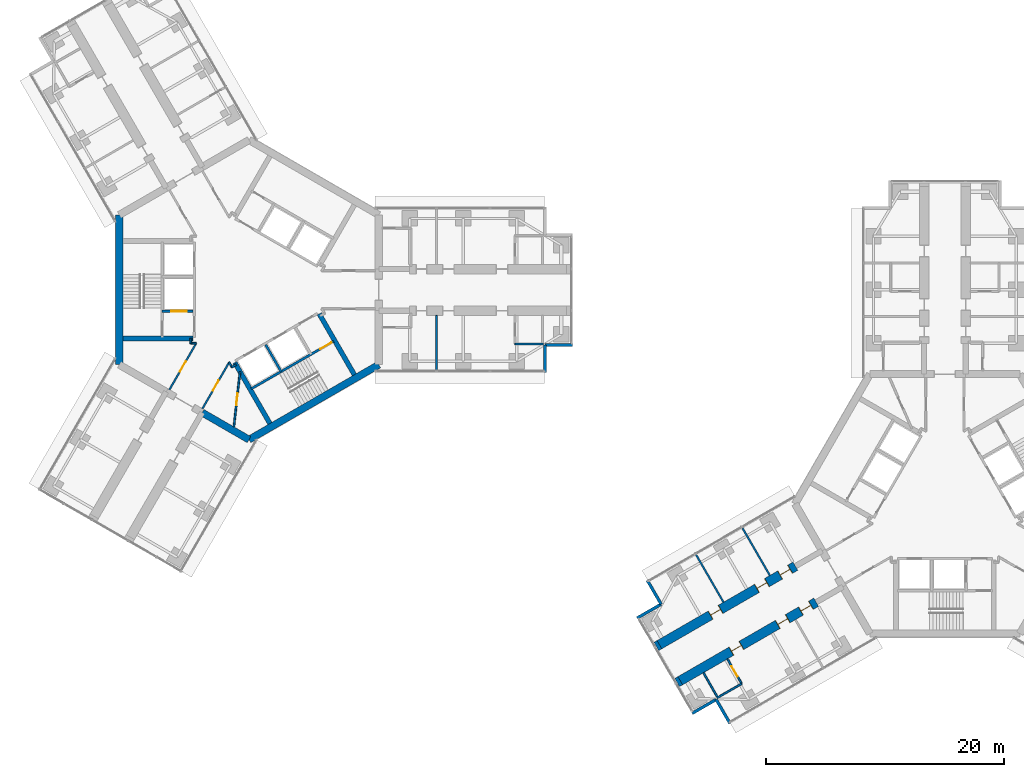
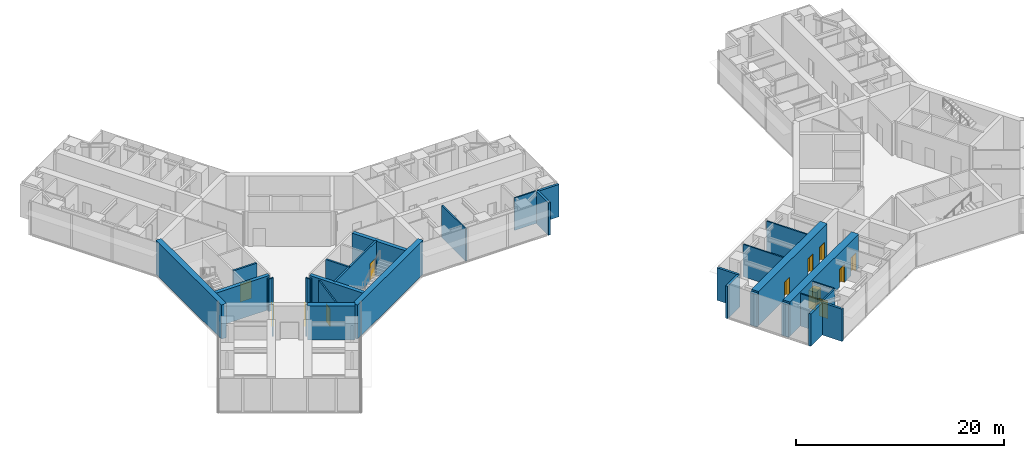
# One storey, part 15 of 22: 33 walls, 12 doors, 12 openings.
"""IFC4 building model written with IfcOpenShell, lengths in metres."""

from ifc_helpers import new_model, si_unit, direction, frame, frame_2d, origin, place, context, subcontext, project, spatial, rectangle, extrude, material, layer, layer_set, type_object, element, fill, save


model = new_model("IFC4")

# Units and contexts
model_context = context("Model", 3, precision=1e-05, world=origin(), true_north=direction((0.0, 1.0)))
body_context = subcontext(model_context, "Body", "Model", "MODEL_VIEW")
ifc_project = project(units=[si_unit("LENGTHUNIT", "METRE"), si_unit("AREAUNIT", "SQUARE_METRE"), si_unit("VOLUMEUNIT", "CUBIC_METRE"), si_unit("PLANEANGLEUNIT", "RADIAN"), si_unit("MASSUNIT", "GRAM", prefix="KILO")], contexts=[model_context])

# Site, building, storey
site_placement = place(None, origin())
site = spatial("IfcSite", under=ifc_project, at=site_placement, CompositionType="ELEMENT")
building_placement = place(site_placement, origin())
building = spatial("IfcBuilding", under=site, at=building_placement, Name="Upepo Twin Towers", CompositionType="ELEMENT")
storey_placement = place(building_placement, frame((0.0, 0.0, 129.5)))
storey = spatial("IfcBuildingStorey", under=building, at=storey_placement, Name="L31", CompositionType="ELEMENT", Elevation=129.5)

# Walls
ifc_material_1 = material(Name="Dense concrete blockwork", Category="masonry")
ifc_layer_1 = layer(ifc_material_1, 0.800048828125)
ifc_layer_set_1 = layer_set([ifc_layer_1], Name="Buttress closer 800, blockwork with fire-stopping to the curtain wall")
wall_type_1 = type_object("IfcWallType", Name="Buttress closer 800, blockwork with fire-stopping to the curtain wall", PredefinedType="PARTITIONING", material=ifc_layer_set_1)
wall_1_placement = place(storey_placement, frame((36.252197265625, -32.865478515625, 0.0), z_axis=(0.0, 0.0, 1.0), x_axis=(-0.865778900179, -0.500426713919, 0.0)))
element("IfcWall", 1, at=wall_1_placement, inside=storey, type_object=wall_type_1, Name="T2 L31 wing B buttress closer L", PredefinedType="PARTITIONING", context=body_context, shape_type="SweptSolid", body=[
    extrude(rectangle(XDim=0.300048828125, YDim=0.800048828125, at=frame_2d((0.14990234375, 0.0))), origin(), (0.0, 0.0, 1.0), 3.800048828125),
])
wall_2_placement = place(storey_placement, frame((34.502197265625, -29.83447265625, 0.0), z_axis=(0.0, 0.0, 1.0), x_axis=(-0.866131372301, -0.499816412211, 0.0)))
element("IfcWall", 2, at=wall_2_placement, inside=storey, type_object=wall_type_1, Name="T2 L31 wing B buttress closer R", PredefinedType="PARTITIONING", context=body_context, shape_type="SweptSolid", body=[
    extrude(rectangle(XDim=0.2998046875, YDim=0.800048828125, at=frame_2d((0.14990234375, 0.0))), origin(), (0.0, 0.0, 1.0), 3.800048828125),
])

# Wall, openings, doors
ifc_material_2 = material(Name="Concrete C60/75", Category="concrete")
ifc_layer_2 = layer(ifc_material_2, 0.800048828125)
ifc_layer_set_2 = layer_set([ifc_layer_2], Name="Concrete C60/75")
wall_type_2 = type_object("IfcWallType", Name="Buttress wall 800 RC", PredefinedType="SHEAR", material=ifc_layer_set_2)
wall_3_placement = place(storey_placement, frame((47.68359375, -26.265625, 0.0), z_axis=(0.0, 0.0, 1.0), x_axis=(-0.866027579429, -0.499996231654, 0.0)))
wall_3 = element("IfcWall", 3, at=wall_3_placement, inside=storey, type_object=wall_type_2, Name="T2 wing B buttress wall L part 2", PredefinedType="SHEAR", context=body_context, shape_type="SweptSolid", body=[
    extrude(rectangle(XDim=13.19970703125, YDim=0.800048828125, at=frame_2d((6.599853515625, 0.0))), origin(), (0.0, 0.0, 1.0), 4.0),
])
opening_1_placement = place(wall_3_placement, frame((0.5, 0.0, 0.0)))
opening_1 = element("IfcOpeningElement", 4, at=opening_1_placement, cuts=wall_3, Name="Opening D1", PredefinedType="OPENING", context=body_context, shape_type="SweptSolid", body=[
    extrude(rectangle(XDim=1.0, YDim=2.10009765625, at=frame_2d((0.5, 1.050048828125))), frame((0.0, 0.409912109375, 0.0), z_axis=(0.0, -1.0, 0.0), x_axis=(1.0, 0.0, 0.0)), (0.0, 0.0, 1.0), 0.820068359375),
])
opening_2_placement = place(wall_3_placement, frame((2.75, 0.0, 0.0)))
opening_2 = element("IfcOpeningElement", 5, at=opening_2_placement, cuts=wall_3, Name="Opening D1", PredefinedType="OPENING", context=body_context, shape_type="SweptSolid", body=[
    extrude(rectangle(XDim=1.0, YDim=2.10009765625, at=frame_2d((0.5, 1.050048828125))), frame((0.0, 0.409912109375, 0.0), z_axis=(0.0, -1.0, 0.0), x_axis=(1.0, 0.0, 0.0)), (0.0, 0.0, 1.0), 0.820068359375),
])
opening_3_placement = place(wall_3_placement, frame((7.25, 0.0, 0.0)))
opening_3 = element("IfcOpeningElement", 6, at=opening_3_placement, cuts=wall_3, Name="Opening D1", PredefinedType="OPENING", context=body_context, shape_type="SweptSolid", body=[
    extrude(rectangle(XDim=1.0, YDim=2.10009765625, at=frame_2d((0.5, 1.050048828125))), frame((0.0, 0.409912109375, 0.0), z_axis=(0.0, -1.0, 0.0), x_axis=(1.0, 0.0, 0.0)), (0.0, 0.0, 1.0), 0.820068359375),
])
ifc_material_3 = material(Name="Timber doorset", Category="wood")
door_type_1 = type_object("IfcDoorType", Name="Room door 1000 FD30", OperationType="SINGLE_SWING_LEFT", PredefinedType="DOOR", material=ifc_material_3)
door_1_placement = place(opening_1_placement, origin())
door_1 = element("IfcDoor", 7, at=door_1_placement, inside=storey, type_object=door_type_1, Name="T2 L31 tutorial room door", OperationType="SINGLE_SWING_LEFT", OverallHeight=2.10009765625, OverallWidth=1.0, PredefinedType="DOOR", context=body_context, shape_type="SweptSolid", body=[
    extrude(rectangle(XDim=0.92, YDim=2.06009765625, at=frame_2d((0.5, 1.030029296875))), frame((0.0, 0.02490234375, 0.0), z_axis=(0.0, -1.0, 0.0), x_axis=(1.0, 0.0, 0.0)), (0.0, 0.0, 1.0), 0.050048828125),
    extrude(rectangle(XDim=0.04, YDim=2.10009765625, at=frame_2d((0.02001953125, 1.050048828125))), frame((0.0, 0.39990234375, 0.0), z_axis=(0.0, -1.0, 0.0), x_axis=(1.0, 0.0, 0.0)), (0.0, 0.0, 1.0), 0.799560546875),
    extrude(rectangle(XDim=0.04, YDim=2.10009765625, at=frame_2d((0.97998046875, 1.050048828125))), frame((0.0, 0.39990234375, 0.0), z_axis=(0.0, -1.0, 0.0), x_axis=(1.0, 0.0, 0.0)), (0.0, 0.0, 1.0), 0.799560546875),
    extrude(rectangle(XDim=0.92, YDim=0.04, at=frame_2d((0.5, 2.080078125))), frame((0.0, 0.39990234375, 0.0), z_axis=(0.0, -1.0, 0.0), x_axis=(1.0, 0.0, 0.0)), (0.0, 0.0, 1.0), 0.799560546875),
])
fill(opening_1, door_1)
door_2_placement = place(opening_2_placement, origin())
door_2 = element("IfcDoor", 8, at=door_2_placement, inside=storey, type_object=door_type_1, Name="T2 L31 law clinic door", OperationType="SINGLE_SWING_LEFT", OverallHeight=2.10009765625, OverallWidth=1.0, PredefinedType="DOOR", context=body_context, shape_type="SweptSolid", body=[
    extrude(rectangle(XDim=0.92, YDim=2.06009765625, at=frame_2d((0.5, 1.030029296875))), frame((0.0, 0.02490234375, 0.0), z_axis=(0.0, -1.0, 0.0), x_axis=(1.0, 0.0, 0.0)), (0.0, 0.0, 1.0), 0.050048828125),
    extrude(rectangle(XDim=0.04, YDim=2.10009765625, at=frame_2d((0.02001953125, 1.050048828125))), frame((0.0, 0.39990234375, 0.0), z_axis=(0.0, -1.0, 0.0), x_axis=(1.0, 0.0, 0.0)), (0.0, 0.0, 1.0), 0.799560546875),
    extrude(rectangle(XDim=0.04, YDim=2.10009765625, at=frame_2d((0.97998046875, 1.050048828125))), frame((0.0, 0.39990234375, 0.0), z_axis=(0.0, -1.0, 0.0), x_axis=(1.0, 0.0, 0.0)), (0.0, 0.0, 1.0), 0.799560546875),
    extrude(rectangle(XDim=0.92, YDim=0.04, at=frame_2d((0.5, 2.080078125))), frame((0.0, 0.39990234375, 0.0), z_axis=(0.0, -1.0, 0.0), x_axis=(1.0, 0.0, 0.0)), (0.0, 0.0, 1.0), 0.799560546875),
])
fill(opening_2, door_2)
door_3_placement = place(opening_3_placement, origin())
door_3 = element("IfcDoor", 9, at=door_3_placement, inside=storey, type_object=door_type_1, Name="T2 L31 law clinic door", OperationType="SINGLE_SWING_RIGHT", OverallHeight=2.10009765625, OverallWidth=1.0, PredefinedType="DOOR", context=body_context, shape_type="SweptSolid", body=[
    extrude(rectangle(XDim=0.92, YDim=2.06009765625, at=frame_2d((0.5, 1.030029296875))), frame((0.0, 0.02490234375, 0.0), z_axis=(0.0, -1.0, 0.0), x_axis=(1.0, 0.0, 0.0)), (0.0, 0.0, 1.0), 0.050048828125),
    extrude(rectangle(XDim=0.04, YDim=2.10009765625, at=frame_2d((0.02001953125, 1.050048828125))), frame((0.0, 0.39990234375, 0.0), z_axis=(0.0, -1.0, 0.0), x_axis=(1.0, 0.0, 0.0)), (0.0, 0.0, 1.0), 0.799560546875),
    extrude(rectangle(XDim=0.04, YDim=2.10009765625, at=frame_2d((0.97998046875, 1.050048828125))), frame((0.0, 0.39990234375, 0.0), z_axis=(0.0, -1.0, 0.0), x_axis=(1.0, 0.0, 0.0)), (0.0, 0.0, 1.0), 0.799560546875),
    extrude(rectangle(XDim=0.92, YDim=0.04, at=frame_2d((0.5, 2.080078125))), frame((0.0, 0.39990234375, 0.0), z_axis=(0.0, -1.0, 0.0), x_axis=(1.0, 0.0, 0.0)), (0.0, 0.0, 1.0), 0.799560546875),
])
fill(opening_3, door_3)

wall_4_placement = place(storey_placement, frame((45.93359375, -23.234375, 0.0), z_axis=(0.0, 0.0, 1.0), x_axis=(-0.866019570528, -0.500010103361, 0.0)))
wall_4 = element("IfcWall", 10, at=wall_4_placement, inside=storey, type_object=wall_type_2, Name="T2 wing B buttress wall R part 2", PredefinedType="SHEAR", context=body_context, shape_type="SweptSolid", body=[
    extrude(rectangle(XDim=13.199951171875, YDim=0.800048828125, at=frame_2d((6.60009765625, 0.0))), origin(), (0.0, 0.0, 1.0), 4.0),
])
opening_4_placement = place(wall_4_placement, frame((0.5, 0.0, 0.0)))
opening_4 = element("IfcOpeningElement", 11, at=opening_4_placement, cuts=wall_4, Name="Opening D1", PredefinedType="OPENING", context=body_context, shape_type="SweptSolid", body=[
    extrude(rectangle(XDim=1.0, YDim=2.10009765625, at=frame_2d((0.5, 1.050048828125))), frame((0.0, 0.409912109375, 0.0), z_axis=(0.0, -1.0, 0.0), x_axis=(1.0, 0.0, 0.0)), (0.0, 0.0, 1.0), 0.820068359375),
])
opening_5_placement = place(wall_4_placement, frame((2.75, 0.0, 0.0)))
opening_5 = element("IfcOpeningElement", 12, at=opening_5_placement, cuts=wall_4, Name="Opening D1", PredefinedType="OPENING", context=body_context, shape_type="SweptSolid", body=[
    extrude(rectangle(XDim=1.0, YDim=2.10009765625, at=frame_2d((0.5, 1.050048828125))), frame((0.0, 0.409912109375, 0.0), z_axis=(0.0, -1.0, 0.0), x_axis=(1.0, 0.0, 0.0)), (0.0, 0.0, 1.0), 0.820068359375),
])
opening_6_placement = place(wall_4_placement, frame((7.25, 0.0, 0.0)))
opening_6 = element("IfcOpeningElement", 13, at=opening_6_placement, cuts=wall_4, Name="Opening D1", PredefinedType="OPENING", context=body_context, shape_type="SweptSolid", body=[
    extrude(rectangle(XDim=1.0, YDim=2.10009765625, at=frame_2d((0.5, 1.050048828125))), frame((0.0, 0.409912109375, 0.0), z_axis=(0.0, -1.0, 0.0), x_axis=(1.0, 0.0, 0.0)), (0.0, 0.0, 1.0), 0.820068359375),
])
door_4_placement = place(opening_4_placement, origin())
door_4 = element("IfcDoor", 14, at=door_4_placement, inside=storey, type_object=door_type_1, Name="T2 L31 staff office door", OperationType="SINGLE_SWING_LEFT", OverallHeight=2.10009765625, OverallWidth=1.0, PredefinedType="DOOR", context=body_context, shape_type="SweptSolid", body=[
    extrude(rectangle(XDim=0.92, YDim=2.06009765625, at=frame_2d((0.5, 1.030029296875))), frame((0.0, 0.02490234375, 0.0), z_axis=(0.0, -1.0, 0.0), x_axis=(1.0, 0.0, 0.0)), (0.0, 0.0, 1.0), 0.050048828125),
    extrude(rectangle(XDim=0.04, YDim=2.10009765625, at=frame_2d((0.02001953125, 1.050048828125))), frame((0.0, 0.39990234375, 0.0), z_axis=(0.0, -1.0, 0.0), x_axis=(1.0, 0.0, 0.0)), (0.0, 0.0, 1.0), 0.799560546875),
    extrude(rectangle(XDim=0.04, YDim=2.10009765625, at=frame_2d((0.97998046875, 1.050048828125))), frame((0.0, 0.39990234375, 0.0), z_axis=(0.0, -1.0, 0.0), x_axis=(1.0, 0.0, 0.0)), (0.0, 0.0, 1.0), 0.799560546875),
    extrude(rectangle(XDim=0.92, YDim=0.04, at=frame_2d((0.5, 2.080078125))), frame((0.0, 0.39990234375, 0.0), z_axis=(0.0, -1.0, 0.0), x_axis=(1.0, 0.0, 0.0)), (0.0, 0.0, 1.0), 0.799560546875),
])
fill(opening_4, door_4)
door_5_placement = place(opening_5_placement, origin())
door_5 = element("IfcDoor", 15, at=door_5_placement, inside=storey, type_object=door_type_1, Name="T2 L31 seminar room door", OperationType="SINGLE_SWING_LEFT", OverallHeight=2.10009765625, OverallWidth=1.0, PredefinedType="DOOR", context=body_context, shape_type="SweptSolid", body=[
    extrude(rectangle(XDim=0.92, YDim=2.06009765625, at=frame_2d((0.5, 1.030029296875))), frame((0.0, 0.02490234375, 0.0), z_axis=(0.0, -1.0, 0.0), x_axis=(1.0, 0.0, 0.0)), (0.0, 0.0, 1.0), 0.050048828125),
    extrude(rectangle(XDim=0.04, YDim=2.10009765625, at=frame_2d((0.02001953125, 1.050048828125))), frame((0.0, 0.39990234375, 0.0), z_axis=(0.0, -1.0, 0.0), x_axis=(1.0, 0.0, 0.0)), (0.0, 0.0, 1.0), 0.799560546875),
    extrude(rectangle(XDim=0.04, YDim=2.10009765625, at=frame_2d((0.97998046875, 1.050048828125))), frame((0.0, 0.39990234375, 0.0), z_axis=(0.0, -1.0, 0.0), x_axis=(1.0, 0.0, 0.0)), (0.0, 0.0, 1.0), 0.799560546875),
    extrude(rectangle(XDim=0.92, YDim=0.04, at=frame_2d((0.5, 2.080078125))), frame((0.0, 0.39990234375, 0.0), z_axis=(0.0, -1.0, 0.0), x_axis=(1.0, 0.0, 0.0)), (0.0, 0.0, 1.0), 0.799560546875),
])
fill(opening_5, door_5)
door_6_placement = place(opening_6_placement, origin())
door_6 = element("IfcDoor", 16, at=door_6_placement, inside=storey, type_object=door_type_1, Name="T2 L31 tutorial room door", OperationType="SINGLE_SWING_RIGHT", OverallHeight=2.10009765625, OverallWidth=1.0, PredefinedType="DOOR", context=body_context, shape_type="SweptSolid", body=[
    extrude(rectangle(XDim=0.92, YDim=2.06009765625, at=frame_2d((0.5, 1.030029296875))), frame((0.0, 0.02490234375, 0.0), z_axis=(0.0, -1.0, 0.0), x_axis=(1.0, 0.0, 0.0)), (0.0, 0.0, 1.0), 0.050048828125),
    extrude(rectangle(XDim=0.04, YDim=2.10009765625, at=frame_2d((0.02001953125, 1.050048828125))), frame((0.0, 0.39990234375, 0.0), z_axis=(0.0, -1.0, 0.0), x_axis=(1.0, 0.0, 0.0)), (0.0, 0.0, 1.0), 0.799560546875),
    extrude(rectangle(XDim=0.04, YDim=2.10009765625, at=frame_2d((0.97998046875, 1.050048828125))), frame((0.0, 0.39990234375, 0.0), z_axis=(0.0, -1.0, 0.0), x_axis=(1.0, 0.0, 0.0)), (0.0, 0.0, 1.0), 0.799560546875),
    extrude(rectangle(XDim=0.92, YDim=0.04, at=frame_2d((0.5, 2.080078125))), frame((0.0, 0.39990234375, 0.0), z_axis=(0.0, -1.0, 0.0), x_axis=(1.0, 0.0, 0.0)), (0.0, 0.0, 1.0), 0.799560546875),
])
fill(opening_6, door_6)

# Walls
ifc_material_4 = material(Name="Concrete C60/75", Category="concrete")
ifc_layer_3 = layer(ifc_material_4, 0.60009765625)
ifc_layer_set_3 = layer_set([ifc_layer_3], Name="Concrete C60/75")
wall_type_3 = type_object("IfcWallType", Name="Core wall 600 RC", PredefinedType="SHEAR", material=ifc_layer_set_3)
wall_5_placement = place(storey_placement, frame((-10.908447265625, 6.2978515625, 0.0), z_axis=(0.0, 0.0, 1.0), x_axis=(0.0, -1.0, 0.0)))
element("IfcWall", 17, at=wall_5_placement, inside=storey, type_object=wall_type_3, Name="T1 core wall 180", PredefinedType="SHEAR", context=body_context, shape_type="SweptSolid", body=[
    extrude(rectangle(XDim=12.595703125, YDim=0.60009765625, at=frame_2d((6.2978515625, 0.0))), origin(), (0.0, 0.0, 1.0), 4.0),
])
wall_6_placement = place(storey_placement, frame((-3.938720703125, -10.32177734375, 0.0), z_axis=(0.0, 0.0, 1.0), x_axis=(0.866011268655, -0.500024481964, 0.0)))
element("IfcWall", 18, at=wall_6_placement, inside=storey, type_object=wall_type_3, Name="T1 core wall 240 L", PredefinedType="SHEAR", context=body_context, shape_type="SweptSolid", body=[
    extrude(rectangle(XDim=4.548095703125, YDim=0.60009765625, at=frame_2d((2.27392578125, 0.0))), origin(), (0.0, 0.0, 1.0), 4.0),
])
wall_7_placement = place(storey_placement, frame((0.0, -12.595947265625, 0.0), z_axis=(0.0, 0.0, 1.0), x_axis=(0.866021940709, 0.500005998175, 0.0)))
element("IfcWall", 19, at=wall_7_placement, inside=storey, type_object=wall_type_3, Name="T1 core wall 300", PredefinedType="SHEAR", context=body_context, shape_type="SweptSolid", body=[
    extrude(rectangle(XDim=12.595947265625, YDim=0.60009765625, at=frame_2d((6.2978515625, 0.0))), origin(), (0.0, 0.0, 1.0), 4.0),
])
ifc_material_5 = material(Name="Blockwork with anodised aluminium cladding", Category="masonry")
ifc_layer_4 = layer(ifc_material_5, 0.25)
ifc_layer_set_4 = layer_set([ifc_layer_4], Name="Notch cladding wall 250, pale metal")
wall_type_4 = type_object("IfcWallType", Name="Notch cladding wall 250, pale metal", PredefinedType="STANDARD", material=ifc_layer_set_4)
for number, where, z_axis, x_axis, name in (
    (20, (24.875, -6.949951171875, 0.0), (0.0, 0.0, 1.0), (0.0, 1.0, 0.0), "T1 L31 wing A notch wall R1"),
    (21, (24.875, -4.625, 0.0), (0.0, 0.0, 1.0), (1.0, 0.0, 0.0), "T1 L31 wing A notch wall R2"),
    (22, (40.4326171875, -36.456298828125, 0.0), (0.0, 0.0, 1.0), (-0.500046648681, 0.865998469481, 0.0), "T2 L31 wing B notch wall L1"),
    (23, (39.27001953125, -34.44287109375, 0.0), (0.0, 0.0, 1.0), (-0.865998469481, -0.500046648681, 0.0), "T2 L31 wing B notch wall L2"),
    (24, (33.482666015625, -24.418701171875, 0.0), (0.0, 0.0, 1.0), (0.499967891604, -0.866043940782, 0.0), "T2 L31 wing B notch wall R1"),
    (25, (34.64501953125, -26.43212890625, 0.0), (0.0, 0.0, 1.0), (-0.865998469481, -0.500046648681, 0.0), "T2 L31 wing B notch wall R2"),
):
    element("IfcWall", number, at=place(storey_placement, frame(where, z_axis=z_axis, x_axis=x_axis)), inside=storey, type_object=wall_type_4, Name=name, PredefinedType="STANDARD", context=body_context, shape_type="SweptSolid", body=[
        extrude(rectangle(XDim=2.324951171875, YDim=0.25, at=frame_2d((1.16259765625, 0.0))), origin(), (0.0, 0.0, 1.0), 3.800048828125),
    ])

# Wall, opening, door
ifc_material_6 = material(Name="Concrete C40/50", Category="concrete")
ifc_layer_5 = layer(ifc_material_6, 0.199951171875)
ifc_layer_set_5 = layer_set([ifc_layer_5], Name="Concrete C40/50")
wall_type_5 = type_object("IfcWallType", Name="Shaft wall 200 RC", PredefinedType="SHEAR", material=ifc_layer_set_5)
wall_8_placement = place(storey_placement, frame((-4.699951171875, -1.800048828125, 0.0), z_axis=(0.0, 0.0, 1.0), x_axis=(-1.0, 0.0, 0.0)))
wall_8 = element("IfcWall", 26, at=wall_8_placement, inside=storey, type_object=wall_type_5, Name="T1 core W180 lobby wall", PredefinedType="SHEAR", context=body_context, shape_type="SweptSolid", body=[
    extrude(rectangle(XDim=2.60009765625, YDim=0.199951171875, at=frame_2d((1.300048828125, 0.0))), origin(), (0.0, 0.0, 1.0), 4.0),
])
opening_7_placement = place(wall_8_placement, frame((0.550048828125, 0.0, 0.0)))
opening_7 = element("IfcOpeningElement", 27, at=opening_7_placement, cuts=wall_8, Name="Opening LD2", PredefinedType="OPENING", context=body_context, shape_type="SweptSolid", body=[
    extrude(rectangle(XDim=1.300048828125, YDim=2.199951171875, at=frame_2d((0.64990234375, 1.10009765625))), frame((0.0, 0.10986328125, 0.0), z_axis=(0.0, -1.0, 0.0), x_axis=(1.0, 0.0, 0.0)), (0.0, 0.0, 1.0), 0.219970703125),
])
ifc_material_7 = material(Name="Steel doorset", Category="steel")
door_type_2 = type_object("IfcDoorType", Name="Firefighting lift landing door 1300", OperationType="DOUBLE_DOOR_SLIDING", PredefinedType="DOOR", material=ifc_material_7)
door_7_placement = place(opening_7_placement, origin())
door_7 = element("IfcDoor", 28, at=door_7_placement, inside=storey, type_object=door_type_2, Name="T1 L31 firefighting lift landing door", OperationType="DOUBLE_DOOR_SLIDING", OverallHeight=2.199951171875, OverallWidth=1.300048828125, PredefinedType="DOOR", context=body_context, shape_type="SweptSolid", body=[
    extrude(rectangle(XDim=1.300048828125, YDim=2.199951171875, at=frame_2d((0.64990234375, 1.10009765625))), frame((0.0, 0.02490234375, 0.0), z_axis=(0.0, -1.0, 0.0), x_axis=(1.0, 0.0, 0.0)), (0.0, 0.0, 1.0), 0.050048828125),
])
fill(opening_7, door_7)

# Wall
wall_9_placement = place(storey_placement, frame((1.3974609375, -4.620361328125, 0.0), z_axis=(0.0, 0.0, 1.0), x_axis=(0.499936506574, -0.866062058628, 0.0)))
element("IfcWall", 29, at=wall_9_placement, inside=storey, type_object=wall_type_5, Name="T1 core W300 shaft divider", PredefinedType="SHEAR", context=body_context, shape_type="SweptSolid", body=[
    extrude(rectangle(XDim=2.599853515625, YDim=0.199951171875, at=frame_2d((1.2998046875, 0.0))), origin(), (0.0, 0.0, 1.0), 4.0),
])

# Wall, opening, door
wall_10_placement = place(storey_placement, frame((0.185791015625, -8.322021484375, 0.0), z_axis=(0.0, 0.0, 1.0), x_axis=(0.866026010844, 0.49999894854, 0.0)))
wall_10 = element("IfcWall", 30, at=wall_10_placement, inside=storey, type_object=wall_type_5, Name="T1 core W300 stair wall", PredefinedType="SHEAR", context=body_context, shape_type="SweptSolid", body=[
    extrude(rectangle(XDim=8.0, YDim=0.199951171875, at=frame_2d((4.0, 0.0))), origin(), (0.0, 0.0, 1.0), 4.0),
])
opening_8_placement = place(wall_10_placement, frame((6.699951171875, 0.0, 0.0)))
opening_8 = element("IfcOpeningElement", 31, at=opening_8_placement, cuts=wall_10, Name="Opening D3", PredefinedType="OPENING", context=body_context, shape_type="SweptSolid", body=[
    extrude(rectangle(XDim=1.10009765625, YDim=2.10009765625, at=frame_2d((0.550048828125, 1.050048828125))), frame((0.0, 0.10986328125, 0.0), z_axis=(0.0, -1.0, 0.0), x_axis=(1.0, 0.0, 0.0)), (0.0, 0.0, 1.0), 0.219970703125),
])
ifc_material_8 = material(Name="Timber doorset", Category="wood")
door_type_3 = type_object("IfcDoorType", Name="Stair door 1100 FD60", OperationType="SINGLE_SWING_LEFT", PredefinedType="DOOR", material=ifc_material_8)
door_8_placement = place(opening_8_placement, origin())
door_8 = element("IfcDoor", 32, at=door_8_placement, inside=storey, type_object=door_type_3, Name="T1 L31 stair door", OperationType="SINGLE_SWING_RIGHT", OverallHeight=2.10009765625, OverallWidth=1.10009765625, PredefinedType="DOOR", context=body_context, shape_type="SweptSolid", body=[
    extrude(rectangle(XDim=1.10009765625, YDim=2.10009765625, at=frame_2d((0.550048828125, 1.050048828125))), frame((0.0, 0.02490234375, 0.0), z_axis=(0.0, -1.0, 0.0), x_axis=(1.0, 0.0, 0.0)), (0.0, 0.0, 1.0), 0.050048828125),
])
fill(opening_8, door_8)

# Walls
ifc_material_9 = material(Name="Concrete C40/50", Category="concrete")
ifc_layer_6 = layer(ifc_material_9, 0.39990234375)
ifc_layer_set_6 = layer_set([ifc_layer_6], Name="Concrete C40/50")
wall_type_6 = type_object("IfcWallType", Name="Shaft wall 400 RC", PredefinedType="SHEAR", material=ifc_layer_set_6)
for number, where, z_axis, x_axis, name in (
    (33, (-4.699951171875, -4.10009765625, 0.0), (0.0, 0.0, 1.0), (-1.0, 0.0, 0.0), "T1 core W180 side wall N"),
    (34, (5.900634765625, -2.020263671875, 0.0), (0.0, 0.0, 1.0), (0.500027676417, -0.866009424208, 0.0), "T1 core W300 side wall N"),
):
    element("IfcWall", number, at=place(storey_placement, frame(where, z_axis=z_axis, x_axis=x_axis)), inside=storey, type_object=wall_type_6, Name=name, PredefinedType="SHEAR", context=body_context, shape_type="SweptSolid", body=[
        extrude(rectangle(XDim=5.908447265625, YDim=0.39990234375, at=frame_2d((2.9541015625, 0.0))), origin(), (0.0, 0.0, 1.0), 4.0),
    ])
wall_11_placement = place(storey_placement, frame((-1.20068359375, -6.120361328125, 0.0), z_axis=(0.0, 0.0, 1.0), x_axis=(0.49999668571, -0.866027317282, 0.0)))
element("IfcWall", 35, at=wall_11_placement, inside=storey, type_object=wall_type_6, Name="T1 core W300 side wall S", PredefinedType="SHEAR", context=body_context, shape_type="SweptSolid", body=[
    extrude(rectangle(XDim=5.908203125, YDim=0.39990234375, at=frame_2d((2.9541015625, 0.0))), origin(), (0.0, 0.0, 1.0), 4.0),
])
ifc_material_10 = material(Name="Gypsum board on steel studs", Category="steel")
ifc_layer_7 = layer(ifc_material_10, 0.14990234375)
ifc_layer_set_7 = layer_set([ifc_layer_7], Name="Teaching partition 150 acoustic")
wall_type_7 = type_object("IfcWallType", Name="Teaching partition 150 acoustic", PredefinedType="PARTITIONING", material=ifc_layer_set_7)
wall_12_placement = place(storey_placement, frame((15.75, -2.14990234375, 0.0), z_axis=(0.0, 0.0, 1.0), x_axis=(0.0, -1.0, 0.0)))
element("IfcWall", 36, at=wall_12_placement, inside=storey, type_object=wall_type_7, Name="T1 partition AR at 15.75", PredefinedType="PARTITIONING", context=body_context, shape_type="SweptSolid", body=[
    extrude(rectangle(XDim=4.60009765625, YDim=0.14990234375, at=frame_2d((2.300048828125, 0.0))), origin(), (0.0, 0.0, 1.0), 3.800048828125),
])
wall_13_placement = place(storey_placement, frame((22.35009765625, -4.550048828125, 0.0), z_axis=(0.0, 0.0, 1.0), x_axis=(1.0, 0.0, 0.0)))
element("IfcWall", 37, at=wall_13_placement, inside=storey, type_object=wall_type_7, Name="T1 inner room partition AR at 22.35", PredefinedType="PARTITIONING", context=body_context, shape_type="SweptSolid", body=[
    extrude(rectangle(XDim=2.39990234375, YDim=0.14990234375, at=frame_2d((1.199951171875, 0.0))), origin(), (0.0, 0.0, 1.0), 3.800048828125),
])
wall_14_placement = place(storey_placement, frame((-1.092041015625, -6.28857421875, 0.0), z_axis=(0.0, 0.0, 1.0), x_axis=(-0.866138304741, -0.499804398801, 0.0)))
element("IfcWall", 38, at=wall_14_placement, inside=storey, type_object=wall_type_7, Name="T1 core room partition 2", PredefinedType="PARTITIONING", context=body_context, shape_type="SweptSolid", body=[
    extrude(rectangle(XDim=0.429931640625, YDim=0.14990234375, at=frame_2d((0.21484375, 0.0))), origin(), (0.0, 0.0, 1.0), 3.800048828125),
])
wall_15_placement = place(storey_placement, frame((-1.43701171875, -6.5107421875, 0.0), z_axis=(0.0, 0.0, 1.0), x_axis=(-0.50033519877, 0.865831790172, 0.0)))
element("IfcWall", 39, at=wall_15_placement, inside=storey, type_object=wall_type_7, Name="T1 core room partition 3", PredefinedType="PARTITIONING", context=body_context, shape_type="SweptSolid", body=[
    extrude(rectangle(XDim=0.494384765625, YDim=0.14990234375, at=frame_2d((0.2470703125, 0.0))), origin(), (0.0, 0.0, 1.0), 3.800048828125),
])

# Wall, opening, door
wall_16_placement = place(storey_placement, frame((-1.664306640625, -6.082763671875, 0.0), z_axis=(0.0, 0.0, 1.0), x_axis=(-0.500032713409, -0.866006515865, 0.0)))
wall_16 = element("IfcWall", 40, at=wall_16_placement, inside=storey, type_object=wall_type_7, Name="T1 core room partition 4", PredefinedType="PARTITIONING", context=body_context, shape_type="SweptSolid", body=[
    extrude(rectangle(XDim=4.518310546875, YDim=0.14990234375, at=frame_2d((2.25927734375, 0.0))), origin(), (0.0, 0.0, 1.0), 3.800048828125),
])
opening_9_placement = place(wall_16_placement, frame((1.769287109375, 0.0, 0.0)))
opening_9 = element("IfcOpeningElement", 41, at=opening_9_placement, cuts=wall_16, Name="Opening D1", PredefinedType="OPENING", context=body_context, shape_type="SweptSolid", body=[
    extrude(rectangle(XDim=1.0, YDim=2.10009765625, at=frame_2d((0.5, 1.050048828125))), frame((0.0, 0.0849609375, 0.0), z_axis=(0.0, -1.0, 0.0), x_axis=(1.0, 0.0, 0.0)), (0.0, 0.0, 1.0), 0.169921875),
])
door_9_placement = place(opening_9_placement, origin())
door_9 = element("IfcDoor", 42, at=door_9_placement, inside=storey, type_object=door_type_1, Name="T1 L31 core room door K2", OperationType="SINGLE_SWING_RIGHT", OverallHeight=2.10009765625, OverallWidth=1.0, PredefinedType="DOOR", context=body_context, shape_type="SweptSolid", body=[
    extrude(rectangle(XDim=1.0, YDim=2.10009765625, at=frame_2d((0.5, 1.050048828125))), frame((0.0, 0.02490234375, 0.0), z_axis=(0.0, -1.0, 0.0), x_axis=(1.0, 0.0, 0.0)), (0.0, 0.0, 1.0), 0.050048828125),
])
fill(opening_9, door_9)

wall_17_placement = place(storey_placement, frame((-6.69482421875, -8.395751953125, 0.0), z_axis=(0.0, 0.0, 1.0), x_axis=(0.500009315796, 0.86602002524, 0.0)))
wall_17 = element("IfcWall", 43, at=wall_17_placement, inside=storey, type_object=wall_type_7, Name="T1 core room partition 5", PredefinedType="PARTITIONING", context=body_context, shape_type="SweptSolid", body=[
    extrude(rectangle(XDim=4.5185546875, YDim=0.14990234375, at=frame_2d((2.25927734375, 0.0))), origin(), (0.0, 0.0, 1.0), 3.800048828125),
])
opening_10_placement = place(wall_17_placement, frame((1.7490234375, 0.0, 0.0)))
opening_10 = element("IfcOpeningElement", 44, at=opening_10_placement, cuts=wall_17, Name="Opening D1", PredefinedType="OPENING", context=body_context, shape_type="SweptSolid", body=[
    extrude(rectangle(XDim=1.0, YDim=2.10009765625, at=frame_2d((0.5, 1.050048828125))), frame((0.0, 0.0849609375, 0.0), z_axis=(0.0, -1.0, 0.0), x_axis=(1.0, 0.0, 0.0)), (0.0, 0.0, 1.0), 0.169921875),
])
door_10_placement = place(opening_10_placement, origin())
door_10 = element("IfcDoor", 45, at=door_10_placement, inside=storey, type_object=door_type_1, Name="T1 L31 core room door K1", OperationType="SINGLE_SWING_LEFT", OverallHeight=2.10009765625, OverallWidth=1.0, PredefinedType="DOOR", context=body_context, shape_type="SweptSolid", body=[
    extrude(rectangle(XDim=1.0, YDim=2.10009765625, at=frame_2d((0.5, 1.050048828125))), frame((0.0, 0.02490234375, 0.0), z_axis=(0.0, -1.0, 0.0), x_axis=(1.0, 0.0, 0.0)), (0.0, 0.0, 1.0), 0.050048828125),
])
fill(opening_10, door_10)

# Walls
wall_18_placement = place(storey_placement, frame((-4.425537109375, -4.5, 0.0), z_axis=(0.0, 0.0, 1.0), x_axis=(-1.0, 0.0, 0.0)))
element("IfcWall", 46, at=wall_18_placement, inside=storey, type_object=wall_type_7, Name="T1 core room partition 6", PredefinedType="PARTITIONING", context=body_context, shape_type="SweptSolid", body=[
    extrude(rectangle(XDim=0.494384765625, YDim=0.14990234375, at=frame_2d((0.2470703125, 0.0))), origin(), (0.0, 0.0, 1.0), 3.800048828125),
])
wall_19_placement = place(storey_placement, frame((-4.89990234375, -4.52001953125, 0.0), z_axis=(0.0, 0.0, 1.0), x_axis=(0.0, 1.0, 0.0)))
element("IfcWall", 47, at=wall_19_placement, inside=storey, type_object=wall_type_7, Name="T1 core room partition 7", PredefinedType="PARTITIONING", context=body_context, shape_type="SweptSolid", body=[
    extrude(rectangle(XDim=0.429931640625, YDim=0.14990234375, at=frame_2d((0.21484375, 0.0))), origin(), (0.0, 0.0, 1.0), 3.800048828125),
])

# Wall, opening, door
wall_20_placement = place(storey_placement, frame((-0.761474609375, -6.881103515625, 0.0), z_axis=(0.0, 0.0, 1.0), x_axis=(-0.109994603044, -0.993932184458, 0.0)))
wall_20 = element("IfcWall", 48, at=wall_20_placement, inside=storey, type_object=wall_type_7, Name="T1 core room partition 19", PredefinedType="PARTITIONING", context=body_context, shape_type="SweptSolid", body=[
    extrude(rectangle(XDim=4.6611328125, YDim=0.14990234375, at=frame_2d((2.33056640625, 0.0))), origin(), (0.0, 0.0, 1.0), 3.800048828125),
])
opening_11_placement = place(wall_20_placement, frame((1.83056640625, 0.0, 0.0)))
opening_11 = element("IfcOpeningElement", 49, at=opening_11_placement, cuts=wall_20, Name="Opening D1", PredefinedType="OPENING", context=body_context, shape_type="SweptSolid", body=[
    extrude(rectangle(XDim=1.0, YDim=2.10009765625, at=frame_2d((0.5, 1.050048828125))), frame((0.0, 0.0849609375, 0.0), z_axis=(0.0, -1.0, 0.0), x_axis=(1.0, 0.0, 0.0)), (0.0, 0.0, 1.0), 0.169921875),
])
door_11_placement = place(opening_11_placement, origin())
door_11 = element("IfcDoor", 50, at=door_11_placement, inside=storey, type_object=door_type_1, Name="T1 L31 core room door K3", OperationType="SINGLE_SWING_LEFT", OverallHeight=2.10009765625, OverallWidth=1.0, PredefinedType="DOOR", context=body_context, shape_type="SweptSolid", body=[
    extrude(rectangle(XDim=1.0, YDim=2.10009765625, at=frame_2d((0.5, 1.050048828125))), frame((0.0, 0.02490234375, 0.0), z_axis=(0.0, -1.0, 0.0), x_axis=(1.0, 0.0, 0.0)), (0.0, 0.0, 1.0), 0.050048828125),
])
fill(opening_11, door_11)

# Wall
wall_21_placement = place(storey_placement, frame((41.41943359375, -33.115478515625, 0.0), z_axis=(0.0, 0.0, 1.0), x_axis=(-0.866050077142, -0.499957262057, 0.0)))
element("IfcWall", 51, at=wall_21_placement, inside=storey, type_object=wall_type_7, Name="T2 inner room partition BL at 22.35", PredefinedType="PARTITIONING", context=body_context, shape_type="SweptSolid", body=[
    extrude(rectangle(XDim=2.400146484375, YDim=0.14990234375, at=frame_2d((1.2001953125, 0.0))), origin(), (0.0, 0.0, 1.0), 3.800048828125),
])

# Wall, opening, door
wall_22_placement = place(storey_placement, frame((40.21923828125, -31.036865234375, 0.0), z_axis=(0.0, 0.0, 1.0), x_axis=(0.500033551112, -0.866006032174, 0.0)))
wall_22 = element("IfcWall", 52, at=wall_22_placement, inside=storey, type_object=wall_type_7, Name="T2 inner room partition BL end at 22.35", PredefinedType="PARTITIONING", context=body_context, shape_type="SweptSolid", body=[
    extrude(rectangle(XDim=2.400146484375, YDim=0.14990234375, at=frame_2d((1.2001953125, 0.0))), origin(), (0.0, 0.0, 1.0), 3.800048828125),
])
opening_12_placement = place(wall_22_placement, frame((0.699951171875, 0.0, 0.0)))
opening_12 = element("IfcOpeningElement", 53, at=opening_12_placement, cuts=wall_22, Name="Opening D1", PredefinedType="OPENING", context=body_context, shape_type="SweptSolid", body=[
    extrude(rectangle(XDim=1.0, YDim=2.10009765625, at=frame_2d((0.5, 1.050048828125))), frame((0.0, 0.0849609375, 0.0), z_axis=(0.0, -1.0, 0.0), x_axis=(1.0, 0.0, 0.0)), (0.0, 0.0, 1.0), 0.169921875),
])
door_12_placement = place(opening_12_placement, origin())
door_12 = element("IfcDoor", 54, at=door_12_placement, inside=storey, type_object=door_type_1, Name="T2 L31 inner room door", OperationType="SINGLE_SWING_LEFT", OverallHeight=2.10009765625, OverallWidth=1.0, PredefinedType="DOOR", context=body_context, shape_type="SweptSolid", body=[
    extrude(rectangle(XDim=1.0, YDim=2.10009765625, at=frame_2d((0.5, 1.050048828125))), frame((0.0, 0.02490234375, 0.0), z_axis=(0.0, -1.0, 0.0), x_axis=(1.0, 0.0, 0.0)), (0.0, 0.0, 1.0), 0.050048828125),
])
fill(opening_12, door_12)

# Walls
wall_23_placement = place(storey_placement, frame((38.205810546875, -32.199462890625, 0.0), z_axis=(0.0, 0.0, 1.0), x_axis=(0.500001309137, -0.866024647952, 0.0)))
element("IfcWall", 55, at=wall_23_placement, inside=storey, type_object=wall_type_7, Name="T2 inner room partition BL end at 24.75", PredefinedType="PARTITIONING", context=body_context, shape_type="SweptSolid", body=[
    extrude(rectangle(XDim=2.39990234375, YDim=0.14990234375, at=frame_2d((1.199951171875, 0.0))), origin(), (0.0, 0.0, 1.0), 3.800048828125),
])
for number, where, z_axis, x_axis, name in (
    (56, (43.78515625, -24.012939453125, 0.0), (0.0, 0.0, 1.0), (-0.500014953309, 0.866016770315, 0.0), "T2 partition BR at 15.75"),
    (57, (39.887939453125, -26.262939453125, 0.0), (0.0, 0.0, 1.0), (-0.500014953309, 0.866016770315, 0.0), "T2 partition BR at 20.25"),
):
    element("IfcWall", number, at=place(storey_placement, frame(where, z_axis=z_axis, x_axis=x_axis)), inside=storey, type_object=wall_type_7, Name=name, PredefinedType="PARTITIONING", context=body_context, shape_type="SweptSolid", body=[
        extrude(rectangle(XDim=4.599853515625, YDim=0.14990234375, at=frame_2d((2.2998046875, 0.0))), origin(), (0.0, 0.0, 1.0), 3.800048828125),
    ])

save(model, "model.ifc")
